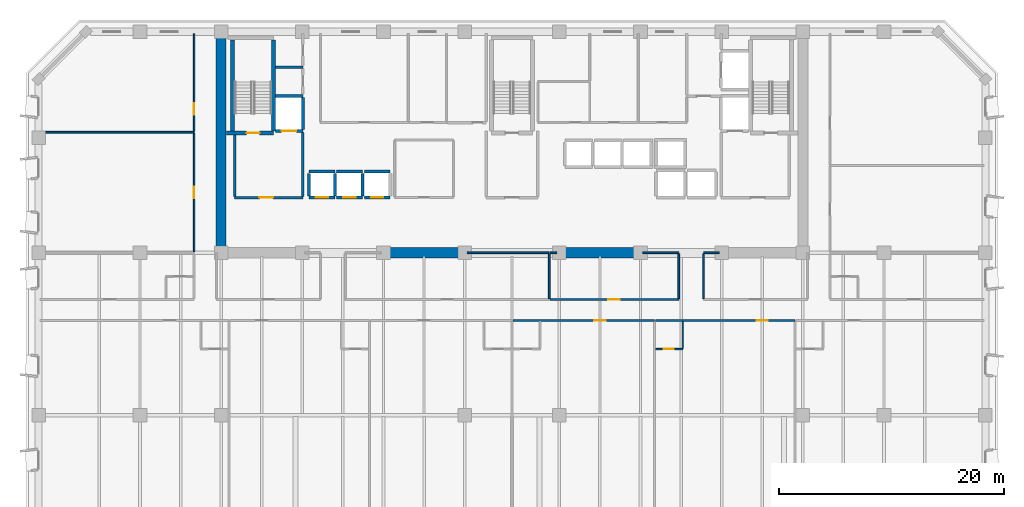
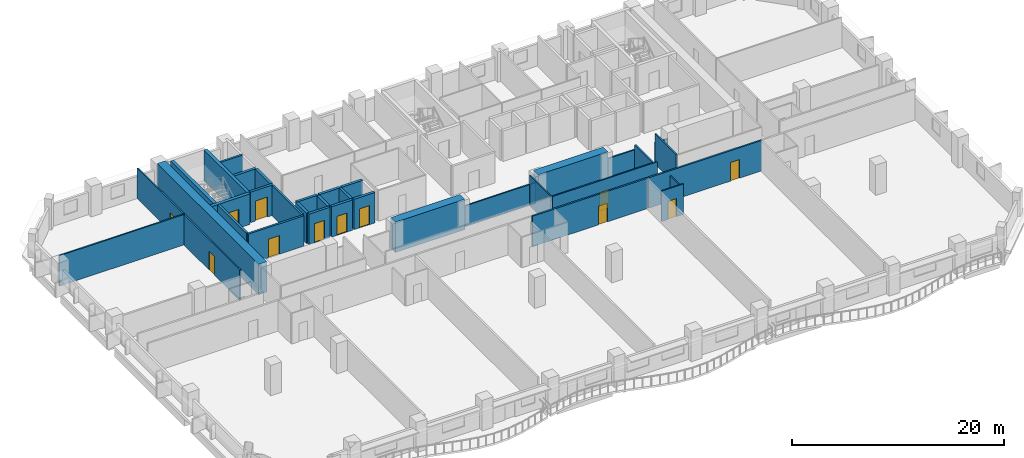
# One storey, part 6 of 15: 37 walls, 12 doors, 12 openings.
"""IFC4 building model written with IfcOpenShell, lengths in metres."""

from ifc_helpers import new_model, si_unit, direction, frame, frame_2d, origin, place, context, subcontext, project, spatial, rectangle, extrude, material, layer, layer_set, type_object, element, fill, save


model = new_model("IFC4")

# Units and contexts
model_context = context("Model", 3, precision=1e-05, world=origin(), true_north=direction((0.0, 1.0)))
body_context = subcontext(model_context, "Body", "Model", "MODEL_VIEW")
ifc_project = project(units=[si_unit("LENGTHUNIT", "METRE"), si_unit("AREAUNIT", "SQUARE_METRE"), si_unit("VOLUMEUNIT", "CUBIC_METRE"), si_unit("PLANEANGLEUNIT", "RADIAN"), si_unit("MASSUNIT", "GRAM", prefix="KILO")], contexts=[model_context])

# Site, building, storey
site_placement = place(None, origin())
site = spatial("IfcSite", under=ifc_project, at=site_placement, CompositionType="ELEMENT")
building_placement = place(site_placement, origin())
building = spatial("IfcBuilding", under=site, at=building_placement, Name="Kaelvorn Grand Hotel", CompositionType="ELEMENT")
storey_placement = place(building_placement, frame((0.0, 0.0, 111.800048828125)))
storey = spatial("IfcBuildingStorey", under=building, at=storey_placement, Name="L26", CompositionType="ELEMENT", Elevation=111.800048828125)

# Walls
ifc_material_1 = material(Name="Concrete C60/75", Category="concrete")
ifc_layer_1 = layer(ifc_material_1, 0.89990234375)
ifc_layer_set_1 = layer_set([ifc_layer_1], Name="Concrete C60/75")
wall_type_1 = type_object("IfcWallType", Name="WL-CORE-900-C60", PredefinedType="SHEAR", material=ifc_layer_set_1)
wall_1_placement = place(storey_placement, frame((16.199951171875, 29.39990234375, 0.0), z_axis=(0.0, 0.0, 1.0), x_axis=(0.0, 1.0, 0.0)))
element("IfcWall", 1, at=wall_1_placement, inside=storey, type_object=wall_type_1, Name="L26 Rear-Core West Shear Wall", PredefinedType="SHEAR", context=body_context, shape_type="SweptSolid", body=[
    extrude(rectangle(XDim=19.2001953125, YDim=0.89990234375, at=frame_2d((9.60009765625, 0.0))), origin(), (0.0, 0.0, 1.0), 3.510009765625),
])
for number, where, z_axis, x_axis, name in (
    (2, (30.39990234375, 29.39990234375, 0.0), (0.0, 0.0, 1.0), (1.0, 0.0, 0.0), "L26 Rear-Core Coupled Shear Pier S2"),
    (3, (46.0, 29.39990234375, 0.0), (0.0, 0.0, 1.0), (1.0, 0.0, 0.0), "L26 Rear-Core Coupled Shear Pier S3"),
):
    element("IfcWall", number, at=place(storey_placement, frame(where, z_axis=z_axis, x_axis=x_axis)), inside=storey, type_object=wall_type_1, Name=name, PredefinedType="SHEAR", context=body_context, shape_type="SweptSolid", body=[
        extrude(rectangle(XDim=7.60009765625, YDim=0.89990234375, at=frame_2d((3.800048828125, 0.0))), origin(), (0.0, 0.0, 1.0), 3.510009765625),
    ])

# Wall, opening, door
ifc_material_2 = material(Name="Moisture-Resistant Tile & Stud Board")
ifc_layer_2 = layer(ifc_material_2, 0.125)
ifc_layer_set_2 = layer_set([ifc_layer_2], Name="Moisture-Resistant Tile & Stud Board")
wall_type_2 = type_object("IfcWallType", Name="WL-PART-125-WET", PredefinedType="PARTITIONING", material=ifc_layer_set_2)
wall_2_placement = place(storey_placement, frame((54.74560546875, 20.85009765625, 0.0), z_axis=(0.0, 0.0, 1.0), x_axis=(1.0, 0.0, 0.0)))
wall_2 = element("IfcWall", 4, at=wall_2_placement, inside=storey, type_object=wall_type_2, Name="L26 En-suite Bathroom L26-05 S Partition", PredefinedType="PARTITIONING", context=body_context, shape_type="SweptSolid", body=[
    extrude(rectangle(XDim=2.40478515625, YDim=0.125, at=frame_2d((1.202392578125, 0.0))), origin(), (0.0, 0.0, 1.0), 3.510009765625),
])
opening_1_placement = place(wall_2_placement, frame((0.705078125, 0.0, 0.0)))
opening_1 = element("IfcOpeningElement", 5, at=opening_1_placement, cuts=wall_2, Name="Opening DI4", PredefinedType="OPENING", context=body_context, shape_type="SweptSolid", body=[
    extrude(rectangle(XDim=0.89990234375, YDim=2.10009765625, at=frame_2d((0.449951171875, 1.050048828125))), frame((0.0, 0.072509765625, 0.0), z_axis=(0.0, -1.0, 0.0), x_axis=(1.0, 0.0, 0.0)), (0.0, 0.0, 1.0), 0.14501953125),
])
ifc_material_3 = material(Name="Timber Veneer Leaf", Category="wood")
door_type_1 = type_object("IfcDoorType", Name="DR-INT-BATH-900x2100", OperationType="NOTDEFINED", PredefinedType="DOOR", material=ifc_material_3)
door_1_placement = place(opening_1_placement, origin())
door_1 = element("IfcDoor", 6, at=door_1_placement, inside=storey, type_object=door_type_1, Name="L26 En-suite Bathroom L26-05 Door", OperationType="SINGLE_SWING_LEFT", OverallHeight=2.10009765625, OverallWidth=0.89990234375, PredefinedType="DOOR", context=body_context, shape_type="SweptSolid", body=[
    extrude(rectangle(XDim=0.89990234375, YDim=2.10009765625, at=frame_2d((0.449951171875, 1.050048828125))), frame((0.0, 0.02490234375, 0.0), z_axis=(0.0, -1.0, 0.0), x_axis=(1.0, 0.0, 0.0)), (0.0, 0.0, 1.0), 0.050048828125),
])
fill(opening_1, door_1)

# Walls
wall_3_placement = place(storey_placement, frame((57.150390625, 20.91748046875, 0.0), z_axis=(0.0, 0.0, 1.0), x_axis=(0.0, 1.0, 0.0)))
element("IfcWall", 7, at=wall_3_placement, inside=storey, type_object=wall_type_2, Name="L26 En-suite Bathroom L26-05 E Partition", PredefinedType="PARTITIONING", context=body_context, shape_type="SweptSolid", body=[
    extrude(rectangle(XDim=2.387451171875, YDim=0.125, at=frame_2d((1.19384765625, 0.0))), origin(), (0.0, 0.0, 1.0), 2.976806640625),
])
ifc_material_4 = material(Name="Acoustic Gypsum & Stud Partition")
ifc_layer_3 = layer(ifc_material_4, 0.14990234375)
ifc_layer_set_3 = layer_set([ifc_layer_3], Name="Acoustic Gypsum & Stud Partition")
wall_type_3 = type_object("IfcWallType", Name="WL-PART-150-EI60", PredefinedType="PARTITIONING", material=ifc_layer_set_3)
wall_4_placement = place(storey_placement, frame((38.010009765625, 29.39990234375, 0.0), z_axis=(0.0, 0.0, 1.0), x_axis=(1.0, 0.0, 0.0)))
element("IfcWall", 8, at=wall_4_placement, inside=storey, type_object=wall_type_3, Name="L26 Catering Servery Kitchen N Partition (2)", PredefinedType="PARTITIONING", context=body_context, shape_type="SweptSolid", body=[
    extrude(rectangle(XDim=7.2900390625, YDim=0.14990234375, at=frame_2d((3.64501953125, 0.0))), origin(), (0.0, 0.0, 1.0), 2.409912109375),
])
wall_5_placement = place(storey_placement, frame((45.300048828125, 25.330078125, 0.0), z_axis=(0.0, 0.0, 1.0), x_axis=(0.0, 1.0, 0.0)))
element("IfcWall", 9, at=wall_5_placement, inside=storey, type_object=wall_type_3, Name="L26 Catering Servery Kitchen E Partition", PredefinedType="PARTITIONING", context=body_context, shape_type="SweptSolid", body=[
    extrude(rectangle(XDim=3.989990234375, YDim=0.14990234375, at=frame_2d((1.9951171875, 0.0))), origin(), (0.0, 0.0, 1.0), 3.510009765625),
])

# Wall, opening, door
wall_6_placement = place(storey_placement, frame((45.3798828125, 25.25, 0.0), z_axis=(0.0, 0.0, 1.0), x_axis=(1.0, 0.0, 0.0)))
wall_6 = element("IfcWall", 10, at=wall_6_placement, inside=storey, type_object=wall_type_3, Name="L26 Presidential Living Room S Partition", PredefinedType="PARTITIONING", context=body_context, shape_type="SweptSolid", body=[
    extrude(rectangle(XDim=11.420166015625, YDim=0.14990234375, at=frame_2d((5.7099609375, 0.0))), origin(), (0.0, 0.0, 1.0), 3.510009765625),
])
opening_2_placement = place(wall_6_placement, frame((5.169921875, 0.0, 0.0)))
opening_2 = element("IfcOpeningElement", 11, at=opening_2_placement, cuts=wall_6, Name="Opening DI3", PredefinedType="OPENING", context=body_context, shape_type="SweptSolid", body=[
    extrude(rectangle(XDim=1.0, YDim=2.14990234375, at=frame_2d((0.5, 1.074951171875))), frame((0.0, 0.0849609375, 0.0), z_axis=(0.0, -1.0, 0.0), x_axis=(1.0, 0.0, 0.0)), (0.0, 0.0, 1.0), 0.169921875),
])
ifc_material_5 = material(Name="Timber Veneer Fire Leaf", Category="wood")
door_type_2 = type_object("IfcDoorType", Name="DR-INT-GUEST-1000x2150", OperationType="NOTDEFINED", PredefinedType="DOOR", material=ifc_material_5)
door_2_placement = place(opening_2_placement, origin())
door_2 = element("IfcDoor", 12, at=door_2_placement, inside=storey, type_object=door_type_2, Name="L26 Presidential Living Room Door", OperationType="SINGLE_SWING_RIGHT", OverallHeight=2.14990234375, OverallWidth=1.0, PredefinedType="DOOR", context=body_context, shape_type="SweptSolid", body=[
    extrude(rectangle(XDim=1.0, YDim=2.14990234375, at=frame_2d((0.5, 1.074951171875))), frame((0.0, 0.02490234375, 0.0), z_axis=(0.0, -1.0, 0.0), x_axis=(1.0, 0.0, 0.0)), (0.0, 0.0, 1.0), 0.050048828125),
])
fill(opening_2, door_2)

# Walls
wall_7_placement = place(storey_placement, frame((45.3798828125, 29.39990234375, 0.0), z_axis=(0.0, 0.0, 1.0), x_axis=(1.0, 0.0, 0.0)))
element("IfcWall", 13, at=wall_7_placement, inside=storey, type_object=wall_type_3, Name="L26 Presidential Living Room N Partition (1)", PredefinedType="PARTITIONING", context=body_context, shape_type="SweptSolid", body=[
    extrude(rectangle(XDim=0.610107421875, YDim=0.14990234375, at=frame_2d((0.30517578125, 0.0))), origin(), (0.0, 0.0, 1.0), 2.409912109375),
])
wall_8_placement = place(storey_placement, frame((53.610107421875, 29.39990234375, 0.0), z_axis=(0.0, 0.0, 1.0), x_axis=(1.0, 0.0, 0.0)))
element("IfcWall", 14, at=wall_8_placement, inside=storey, type_object=wall_type_3, Name="L26 Presidential Living Room N Partition (2)", PredefinedType="PARTITIONING", context=body_context, shape_type="SweptSolid", body=[
    extrude(rectangle(XDim=3.18994140625, YDim=0.14990234375, at=frame_2d((1.594970703125, 0.0))), origin(), (0.0, 0.0, 1.0), 2.409912109375),
])
wall_9_placement = place(storey_placement, frame((56.800048828125, 25.330078125, 0.0), z_axis=(0.0, 0.0, 1.0), x_axis=(0.0, 1.0, 0.0)))
element("IfcWall", 15, at=wall_9_placement, inside=storey, type_object=wall_type_3, Name="L26 Presidential Living Room E Partition", PredefinedType="PARTITIONING", context=body_context, shape_type="SweptSolid", body=[
    extrude(rectangle(XDim=3.989990234375, YDim=0.14990234375, at=frame_2d((1.9951171875, 0.0))), origin(), (0.0, 0.0, 1.0), 2.976806640625),
])
wall_10_placement = place(storey_placement, frame((59.0, 29.39990234375, 0.0), z_axis=(0.0, 0.0, 1.0), x_axis=(1.0, 0.0, 0.0)))
element("IfcWall", 16, at=wall_10_placement, inside=storey, type_object=wall_type_3, Name="L26 Trade Advisory Office N Partition", PredefinedType="PARTITIONING", context=body_context, shape_type="SweptSolid", body=[
    extrude(rectangle(XDim=1.389892578125, YDim=0.14990234375, at=frame_2d((0.69482421875, 0.0))), origin(), (0.0, 0.0, 1.0), 2.409912109375),
])
wall_11_placement = place(storey_placement, frame((59.0, 25.330078125, 0.0), z_axis=(0.0, 0.0, 1.0), x_axis=(0.0, 1.0, 0.0)))
element("IfcWall", 17, at=wall_11_placement, inside=storey, type_object=wall_type_3, Name="L26 Trade Advisory Office W Partition", PredefinedType="PARTITIONING", context=body_context, shape_type="SweptSolid", body=[
    extrude(rectangle(XDim=3.989990234375, YDim=0.14990234375, at=frame_2d((1.9951171875, 0.0))), origin(), (0.0, 0.0, 1.0), 3.510009765625),
])
wall_12_placement = place(storey_placement, frame((0.14990234375, 40.10009765625, 0.0), z_axis=(0.0, 0.0, 1.0), x_axis=(1.0, 0.0, 0.0)))
element("IfcWall", 18, at=wall_12_placement, inside=storey, type_object=wall_type_3, Name="L26 North-West Botanical Conservatory Salon N Partition", PredefinedType="PARTITIONING", context=body_context, shape_type="SweptSolid", body=[
    extrude(rectangle(XDim=13.650146484375, YDim=0.14990234375, at=frame_2d((6.8251953125, 0.0))), origin(), (0.0, 0.0, 1.0), 3.510009765625),
])

# Wall, opening, door
wall_13_placement = place(storey_placement, frame((13.800048828125, 29.4951171875, 0.0), z_axis=(0.0, 0.0, 1.0), x_axis=(0.0, 1.0, 0.0)))
wall_13 = element("IfcWall", 19, at=wall_13_placement, inside=storey, type_object=wall_type_3, Name="L26 North-West Botanical Conservatory Salon E Partition", PredefinedType="PARTITIONING", context=body_context, shape_type="SweptSolid", body=[
    extrude(rectangle(XDim=10.52490234375, YDim=0.14990234375, at=frame_2d((5.262451171875, 0.0))), origin(), (0.0, 0.0, 1.0), 3.510009765625),
])
opening_3_placement = place(wall_13_placement, frame((4.7548828125, 0.0, 0.0)))
opening_3 = element("IfcOpeningElement", 20, at=opening_3_placement, cuts=wall_13, Name="Opening DI3", PredefinedType="OPENING", context=body_context, shape_type="SweptSolid", body=[
    extrude(rectangle(XDim=1.0, YDim=2.14990234375, at=frame_2d((0.5, 1.074951171875))), frame((0.0, 0.0849609375, 0.0), z_axis=(0.0, -1.0, 0.0), x_axis=(1.0, 0.0, 0.0)), (0.0, 0.0, 1.0), 0.169921875),
])
door_3_placement = place(opening_3_placement, origin())
door_3 = element("IfcDoor", 21, at=door_3_placement, inside=storey, type_object=door_type_2, Name="L26 North-West Botanical Conservatory Salon Door", OperationType="SINGLE_SWING_RIGHT", OverallHeight=2.14990234375, OverallWidth=1.0, PredefinedType="DOOR", context=body_context, shape_type="SweptSolid", body=[
    extrude(rectangle(XDim=1.0, YDim=2.14990234375, at=frame_2d((0.5, 1.074951171875))), frame((0.0, 0.02490234375, 0.0), z_axis=(0.0, -1.0, 0.0), x_axis=(1.0, 0.0, 0.0)), (0.0, 0.0, 1.0), 0.050048828125),
])
fill(opening_3, door_3)

wall_14_placement = place(storey_placement, frame((13.800048828125, 40.179931640625, 0.0), z_axis=(0.0, 0.0, 1.0), x_axis=(0.0, 1.0, 0.0)))
wall_14 = element("IfcWall", 22, at=wall_14_placement, inside=storey, type_object=wall_type_3, Name="L26 North-West Catering Servery Kitchen E Partition", PredefinedType="PARTITIONING", context=body_context, shape_type="SweptSolid", body=[
    extrude(rectangle(XDim=8.670166015625, YDim=0.14990234375, at=frame_2d((4.3349609375, 0.0))), origin(), (0.0, 0.0, 1.0), 3.510009765625),
])
opening_4_placement = place(wall_14_placement, frame((1.469970703125, 0.0, 0.0)))
opening_4 = element("IfcOpeningElement", 23, at=opening_4_placement, cuts=wall_14, Name="Opening DI3", PredefinedType="OPENING", context=body_context, shape_type="SweptSolid", body=[
    extrude(rectangle(XDim=1.0, YDim=2.14990234375, at=frame_2d((0.5, 1.074951171875))), frame((0.0, 0.0849609375, 0.0), z_axis=(0.0, -1.0, 0.0), x_axis=(1.0, 0.0, 0.0)), (0.0, 0.0, 1.0), 0.169921875),
])
door_4_placement = place(opening_4_placement, origin())
door_4 = element("IfcDoor", 24, at=door_4_placement, inside=storey, type_object=door_type_2, Name="L26 North-West Catering Servery Kitchen Door", OperationType="SINGLE_SWING_LEFT", OverallHeight=2.14990234375, OverallWidth=1.0, PredefinedType="DOOR", context=body_context, shape_type="SweptSolid", body=[
    extrude(rectangle(XDim=1.0, YDim=2.14990234375, at=frame_2d((0.5, 1.074951171875))), frame((0.0, 0.02490234375, 0.0), z_axis=(0.0, -1.0, 0.0), x_axis=(1.0, 0.0, 0.0)), (0.0, 0.0, 1.0), 0.050048828125),
])
fill(opening_4, door_4)

ifc_layer_4 = layer(ifc_material_4, 0.179931640625)
ifc_layer_set_4 = layer_set([ifc_layer_4], Name="Acoustic Gypsum & Stud Partition")
wall_type_4 = type_object("IfcWallType", Name="WL-PART-180-EI60", PredefinedType="PARTITIONING", material=ifc_layer_set_4)
wall_15_placement = place(storey_placement, frame((42.094970703125, 23.39990234375, 0.0), z_axis=(0.0, 0.0, 1.0), x_axis=(1.0, 0.0, 0.0)))
wall_15 = element("IfcWall", 25, at=wall_15_placement, inside=storey, type_object=wall_type_4, Name="L26 Presidential Sky Suite L26-04 N Partition", PredefinedType="PARTITIONING", context=body_context, shape_type="SweptSolid", body=[
    extrude(rectangle(XDim=12.555419921875, YDim=0.179931640625, at=frame_2d((6.27783203125, 0.0))), origin(), (0.0, 0.0, 1.0), 3.510009765625),
])
opening_5_placement = place(wall_15_placement, frame((7.205078125, 0.0, 0.0)))
opening_5 = element("IfcOpeningElement", 26, at=opening_5_placement, cuts=wall_15, Name="Opening DI3", PredefinedType="OPENING", context=body_context, shape_type="SweptSolid", body=[
    extrude(rectangle(XDim=1.0, YDim=2.14990234375, at=frame_2d((0.5, 1.074951171875))), frame((0.0, 0.10009765625, 0.0), z_axis=(0.0, -1.0, 0.0), x_axis=(1.0, 0.0, 0.0)), (0.0, 0.0, 1.0), 0.199951171875),
])
door_5_placement = place(opening_5_placement, origin())
door_5 = element("IfcDoor", 27, at=door_5_placement, inside=storey, type_object=door_type_2, Name="L26 Presidential Sky Suite L26-04 Door", OperationType="SINGLE_SWING_RIGHT", OverallHeight=2.14990234375, OverallWidth=1.0, PredefinedType="DOOR", context=body_context, shape_type="SweptSolid", body=[
    extrude(rectangle(XDim=1.0, YDim=2.14990234375, at=frame_2d((0.5, 1.074951171875))), frame((0.0, 0.02490234375, 0.0), z_axis=(0.0, -1.0, 0.0), x_axis=(1.0, 0.0, 0.0)), (0.0, 0.0, 1.0), 0.050048828125),
])
fill(opening_5, door_5)

wall_16_placement = place(storey_placement, frame((54.74560546875, 23.39990234375, 0.0), z_axis=(0.0, 0.0, 1.0), x_axis=(1.0, 0.0, 0.0)))
wall_16 = element("IfcWall", 28, at=wall_16_placement, inside=storey, type_object=wall_type_4, Name="L26 Presidential Sky Suite L26-05 N Partition", PredefinedType="PARTITIONING", context=body_context, shape_type="SweptSolid", body=[
    extrude(rectangle(XDim=12.354736328125, YDim=0.179931640625, at=frame_2d((6.17724609375, 0.0))), origin(), (0.0, 0.0, 1.0), 3.510009765625),
])
opening_6_placement = place(wall_16_placement, frame((8.95458984375, 0.0, 0.0)))
opening_6 = element("IfcOpeningElement", 29, at=opening_6_placement, cuts=wall_16, Name="Opening DI3", PredefinedType="OPENING", context=body_context, shape_type="SweptSolid", body=[
    extrude(rectangle(XDim=1.0, YDim=2.14990234375, at=frame_2d((0.5, 1.074951171875))), frame((0.0, 0.10009765625, 0.0), z_axis=(0.0, -1.0, 0.0), x_axis=(1.0, 0.0, 0.0)), (0.0, 0.0, 1.0), 0.199951171875),
])
door_6_placement = place(opening_6_placement, origin())
door_6 = element("IfcDoor", 30, at=door_6_placement, inside=storey, type_object=door_type_2, Name="L26 Presidential Sky Suite L26-05 Door", OperationType="SINGLE_SWING_RIGHT", OverallHeight=2.14990234375, OverallWidth=1.0, PredefinedType="DOOR", context=body_context, shape_type="SweptSolid", body=[
    extrude(rectangle(XDim=1.0, YDim=2.14990234375, at=frame_2d((0.5, 1.074951171875))), frame((0.0, 0.02490234375, 0.0), z_axis=(0.0, -1.0, 0.0), x_axis=(1.0, 0.0, 0.0)), (0.0, 0.0, 1.0), 0.050048828125),
])
fill(opening_6, door_6)

ifc_material_6 = material(Name="Concrete C40/50", Category="concrete")
ifc_layer_5 = layer(ifc_material_6, 0.219970703125)
ifc_layer_set_5 = layer_set([ifc_layer_5], Name="Concrete C40/50")
wall_type_5 = type_object("IfcWallType", Name="WL-PART-220-EI120", PredefinedType="PARTITIONING", material=ifc_layer_set_5)
wall_17_placement = place(storey_placement, frame((17.39990234375, 34.300048828125, 0.0), z_axis=(0.0, 0.0, 1.0), x_axis=(1.0, 0.0, 0.0)))
wall_17 = element("IfcWall", 31, at=wall_17_placement, inside=storey, type_object=wall_type_5, Name="L26 Firefighting Lift Lobby 1 S Partition", PredefinedType="PARTITIONING", context=body_context, shape_type="SweptSolid", body=[
    extrude(rectangle(XDim=6.050048828125, YDim=0.219970703125, at=frame_2d((3.02490234375, 0.0))), origin(), (0.0, 0.0, 1.0), 3.510009765625),
])
opening_7_placement = place(wall_17_placement, frame((2.199951171875, 0.0, 0.0)))
opening_7 = element("IfcOpeningElement", 32, at=opening_7_placement, cuts=wall_17, Name="Opening DI2", PredefinedType="OPENING", context=body_context, shape_type="SweptSolid", body=[
    extrude(rectangle(XDim=1.199951171875, YDim=2.14990234375, at=frame_2d((0.60009765625, 1.074951171875))), frame((0.0, 0.1201171875, 0.0), z_axis=(0.0, -1.0, 0.0), x_axis=(1.0, 0.0, 0.0)), (0.0, 0.0, 1.0), 0.239990234375),
])
door_type_3 = type_object("IfcDoorType", Name="DR-INT-FFLOB-1200x2150", OperationType="NOTDEFINED", PredefinedType="DOOR", material=ifc_material_5)
door_7_placement = place(opening_7_placement, origin())
door_7 = element("IfcDoor", 33, at=door_7_placement, inside=storey, type_object=door_type_3, Name="L26 Firefighting Lift Lobby 1 Door", OperationType="SINGLE_SWING_LEFT", OverallHeight=2.14990234375, OverallWidth=1.199951171875, PredefinedType="DOOR", context=body_context, shape_type="SweptSolid", body=[
    extrude(rectangle(XDim=1.199951171875, YDim=2.14990234375, at=frame_2d((0.60009765625, 1.074951171875))), frame((0.0, 0.02490234375, 0.0), z_axis=(0.0, -1.0, 0.0), x_axis=(1.0, 0.0, 0.0)), (0.0, 0.0, 1.0), 0.050048828125),
])
fill(opening_7, door_7)

# Walls
wall_18_placement = place(storey_placement, frame((17.39990234375, 34.4150390625, 0.0), z_axis=(0.0, 0.0, 1.0), x_axis=(0.0, 1.0, 0.0)))
element("IfcWall", 34, at=wall_18_placement, inside=storey, type_object=wall_type_5, Name="L26 Firefighting Lift Lobby 1 W Partition", PredefinedType="PARTITIONING", context=body_context, shape_type="SweptSolid", body=[
    extrude(rectangle(XDim=5.429931640625, YDim=0.219970703125, at=frame_2d((2.71484375, 0.0))), origin(), (0.0, 0.0, 1.0), 3.510009765625),
])
wall_19_placement = place(storey_placement, frame((23.449951171875, 34.4150390625, 0.0), z_axis=(0.0, 0.0, 1.0), x_axis=(0.0, 1.0, 0.0)))
element("IfcWall", 35, at=wall_19_placement, inside=storey, type_object=wall_type_5, Name="L26 Firefighting Lift Lobby 1 E Partition", PredefinedType="PARTITIONING", context=body_context, shape_type="SweptSolid", body=[
    extrude(rectangle(XDim=5.639892578125, YDim=0.219970703125, at=frame_2d((2.81982421875, 0.0))), origin(), (0.0, 0.0, 1.0), 3.510009765625),
])
wall_20_placement = place(storey_placement, frame((21.034912109375, 45.85009765625, 0.0), z_axis=(0.0, 0.0, 1.0), x_axis=(1.0, 0.0, 0.0)))
element("IfcWall", 36, at=wall_20_placement, inside=storey, type_object=wall_type_5, Name="L26 Wet Fire & Plumbing Riser Shaft N Partition", PredefinedType="PARTITIONING", context=body_context, shape_type="SweptSolid", body=[
    extrude(rectangle(XDim=2.4150390625, YDim=0.219970703125, at=frame_2d((1.20751953125, 0.0))), origin(), (0.0, 0.0, 1.0), 3.510009765625),
])

# Wall, opening, door
ifc_material_7 = material(Name="Concrete C50/60", Category="concrete")
ifc_layer_6 = layer(ifc_material_7, 0.280029296875)
ifc_layer_set_6 = layer_set([ifc_layer_6], Name="Concrete C50/60")
wall_type_6 = type_object("IfcWallType", Name="WL-SHAFT-280-C50", PredefinedType="SHEAR", material=ifc_layer_set_6)
wall_21_placement = place(storey_placement, frame((24.0, 34.300048828125, 0.0), z_axis=(0.0, 0.0, 1.0), x_axis=(1.0, 0.0, 0.0)))
wall_21 = element("IfcWall", 37, at=wall_21_placement, inside=storey, type_object=wall_type_6, Name="L26 Lift PL-L1 Shaft South Wall", PredefinedType="SHEAR", context=body_context, shape_type="SweptSolid", body=[
    extrude(rectangle(XDim=2.300048828125, YDim=0.280029296875, at=frame_2d((1.14990234375, 0.0))), origin(), (0.0, 0.0, 1.0), 3.510009765625),
])
opening_8_placement = place(wall_21_placement, frame((0.60009765625, 0.0, 0.0)))
opening_8 = element("IfcOpeningElement", 38, at=opening_8_placement, cuts=wall_21, Name="Opening LD-PL-L1", PredefinedType="OPENING", context=body_context, shape_type="SweptSolid", body=[
    extrude(rectangle(XDim=1.10009765625, YDim=2.199951171875, at=frame_2d((0.550048828125, 1.10009765625))), frame((0.0, 0.14990234375, 0.0), z_axis=(0.0, -1.0, 0.0), x_axis=(1.0, 0.0, 0.0)), (0.0, 0.0, 1.0), 0.300048828125),
])
ifc_material_8 = material(Name="Stainless Steel", Category="steel")
door_type_4 = type_object("IfcDoorType", Name="DR-LIFT-PASS-1100x2200", OperationType="DOUBLE_DOOR_SLIDING", PredefinedType="DOOR", material=ifc_material_8)
door_8_placement = place(opening_8_placement, origin())
door_8 = element("IfcDoor", 39, at=door_8_placement, inside=storey, type_object=door_type_4, Name="L26 Lift PL-L1 Sliding Landing Door LD-PL-L1", OperationType="DOUBLE_DOOR_SLIDING", OverallHeight=2.199951171875, OverallWidth=1.10009765625, PredefinedType="DOOR", context=body_context, shape_type="SweptSolid", body=[
    extrude(rectangle(XDim=1.10009765625, YDim=2.199951171875, at=frame_2d((0.550048828125, 1.10009765625))), frame((0.0, 0.02490234375, 0.0), z_axis=(0.0, -1.0, 0.0), x_axis=(1.0, 0.0, 0.0)), (0.0, 0.0, 1.0), 0.050048828125),
])
fill(opening_8, door_8)

# Walls
wall_22_placement = place(storey_placement, frame((24.0, 36.60009765625, 0.0), z_axis=(0.0, 0.0, 1.0), x_axis=(1.0, 0.0, 0.0)))
element("IfcWall", 40, at=wall_22_placement, inside=storey, type_object=wall_type_6, Name="L26 Lift PL-L1 Shaft North Wall", PredefinedType="SHEAR", context=body_context, shape_type="SweptSolid", body=[
    extrude(rectangle(XDim=2.300048828125, YDim=0.280029296875, at=frame_2d((1.14990234375, 0.0))), origin(), (0.0, 0.0, 1.0), 3.510009765625),
])
for number, where, z_axis, x_axis, name in (
    (41, (24.0, 34.445068359375, 0.0), (0.0, 0.0, 1.0), (0.0, 1.0, 0.0), "L26 Lift PL-L1 Shaft West Wall"),
    (42, (26.300048828125, 34.445068359375, 0.0), (0.0, 0.0, 1.0), (0.0, 1.0, 0.0), "L26 Lift PL-L1 Shaft East Wall"),
):
    element("IfcWall", number, at=place(storey_placement, frame(where, z_axis=z_axis, x_axis=x_axis)), inside=storey, type_object=wall_type_6, Name=name, PredefinedType="SHEAR", context=body_context, shape_type="SweptSolid", body=[
        extrude(rectangle(XDim=2.010009765625, YDim=0.280029296875, at=frame_2d((1.0048828125, 0.0))), origin(), (0.0, 0.0, 1.0), 3.510009765625),
    ])

# Wall, opening, door
wall_23_placement = place(storey_placement, frame((26.449951171875, 34.300048828125, 0.0), z_axis=(0.0, 0.0, 1.0), x_axis=(1.0, 0.0, 0.0)))
wall_23 = element("IfcWall", 43, at=wall_23_placement, inside=storey, type_object=wall_type_6, Name="L26 Lift PL-L2 Shaft South Wall", PredefinedType="SHEAR", context=body_context, shape_type="SweptSolid", body=[
    extrude(rectangle(XDim=2.300048828125, YDim=0.280029296875, at=frame_2d((1.14990234375, 0.0))), origin(), (0.0, 0.0, 1.0), 3.510009765625),
])
opening_9_placement = place(wall_23_placement, frame((0.60009765625, 0.0, 0.0)))
opening_9 = element("IfcOpeningElement", 44, at=opening_9_placement, cuts=wall_23, Name="Opening LD-PL-L2", PredefinedType="OPENING", context=body_context, shape_type="SweptSolid", body=[
    extrude(rectangle(XDim=1.10009765625, YDim=2.199951171875, at=frame_2d((0.550048828125, 1.10009765625))), frame((0.0, 0.14990234375, 0.0), z_axis=(0.0, -1.0, 0.0), x_axis=(1.0, 0.0, 0.0)), (0.0, 0.0, 1.0), 0.300048828125),
])
door_9_placement = place(opening_9_placement, origin())
door_9 = element("IfcDoor", 45, at=door_9_placement, inside=storey, type_object=door_type_4, Name="L26 Lift PL-L2 Sliding Landing Door LD-PL-L2", OperationType="DOUBLE_DOOR_SLIDING", OverallHeight=2.199951171875, OverallWidth=1.10009765625, PredefinedType="DOOR", context=body_context, shape_type="SweptSolid", body=[
    extrude(rectangle(XDim=1.10009765625, YDim=2.199951171875, at=frame_2d((0.550048828125, 1.10009765625))), frame((0.0, 0.02490234375, 0.0), z_axis=(0.0, -1.0, 0.0), x_axis=(1.0, 0.0, 0.0)), (0.0, 0.0, 1.0), 0.050048828125),
])
fill(opening_9, door_9)

# Walls
wall_24_placement = place(storey_placement, frame((26.449951171875, 36.60009765625, 0.0), z_axis=(0.0, 0.0, 1.0), x_axis=(1.0, 0.0, 0.0)))
element("IfcWall", 46, at=wall_24_placement, inside=storey, type_object=wall_type_6, Name="L26 Lift PL-L2 Shaft North Wall", PredefinedType="SHEAR", context=body_context, shape_type="SweptSolid", body=[
    extrude(rectangle(XDim=2.300048828125, YDim=0.280029296875, at=frame_2d((1.14990234375, 0.0))), origin(), (0.0, 0.0, 1.0), 3.510009765625),
])
wall_25_placement = place(storey_placement, frame((28.75, 34.445068359375, 0.0), z_axis=(0.0, 0.0, 1.0), x_axis=(0.0, 1.0, 0.0)))
element("IfcWall", 47, at=wall_25_placement, inside=storey, type_object=wall_type_6, Name="L26 Lift PL-L2 Shaft East Wall", PredefinedType="SHEAR", context=body_context, shape_type="SweptSolid", body=[
    extrude(rectangle(XDim=2.010009765625, YDim=0.280029296875, at=frame_2d((1.0048828125, 0.0))), origin(), (0.0, 0.0, 1.0), 3.510009765625),
])

# Wall, opening, door
wall_26_placement = place(storey_placement, frame((28.89990234375, 34.300048828125, 0.0), z_axis=(0.0, 0.0, 1.0), x_axis=(1.0, 0.0, 0.0)))
wall_26 = element("IfcWall", 48, at=wall_26_placement, inside=storey, type_object=wall_type_6, Name="L26 Lift PL-L3 Shaft South Wall", PredefinedType="SHEAR", context=body_context, shape_type="SweptSolid", body=[
    extrude(rectangle(XDim=2.300048828125, YDim=0.280029296875, at=frame_2d((1.14990234375, 0.0))), origin(), (0.0, 0.0, 1.0), 3.510009765625),
])
opening_10_placement = place(wall_26_placement, frame((0.60009765625, 0.0, 0.0)))
opening_10 = element("IfcOpeningElement", 49, at=opening_10_placement, cuts=wall_26, Name="Opening LD-PL-L3", PredefinedType="OPENING", context=body_context, shape_type="SweptSolid", body=[
    extrude(rectangle(XDim=1.10009765625, YDim=2.199951171875, at=frame_2d((0.550048828125, 1.10009765625))), frame((0.0, 0.14990234375, 0.0), z_axis=(0.0, -1.0, 0.0), x_axis=(1.0, 0.0, 0.0)), (0.0, 0.0, 1.0), 0.300048828125),
])
door_10_placement = place(opening_10_placement, origin())
door_10 = element("IfcDoor", 50, at=door_10_placement, inside=storey, type_object=door_type_4, Name="L26 Lift PL-L3 Sliding Landing Door LD-PL-L3", OperationType="DOUBLE_DOOR_SLIDING", OverallHeight=2.199951171875, OverallWidth=1.10009765625, PredefinedType="DOOR", context=body_context, shape_type="SweptSolid", body=[
    extrude(rectangle(XDim=1.10009765625, YDim=2.199951171875, at=frame_2d((0.550048828125, 1.10009765625))), frame((0.0, 0.02490234375, 0.0), z_axis=(0.0, -1.0, 0.0), x_axis=(1.0, 0.0, 0.0)), (0.0, 0.0, 1.0), 0.050048828125),
])
fill(opening_10, door_10)

# Wall
wall_27_placement = place(storey_placement, frame((28.89990234375, 36.60009765625, 0.0), z_axis=(0.0, 0.0, 1.0), x_axis=(1.0, 0.0, 0.0)))
element("IfcWall", 51, at=wall_27_placement, inside=storey, type_object=wall_type_6, Name="L26 Lift PL-L3 Shaft North Wall", PredefinedType="SHEAR", context=body_context, shape_type="SweptSolid", body=[
    extrude(rectangle(XDim=2.300048828125, YDim=0.280029296875, at=frame_2d((1.14990234375, 0.0))), origin(), (0.0, 0.0, 1.0), 3.510009765625),
])

# Wall, opening, door
wall_28_placement = place(storey_placement, frame((21.034912109375, 40.199951171875, 0.0), z_axis=(0.0, 0.0, 1.0), x_axis=(1.0, 0.0, 0.0)))
wall_28 = element("IfcWall", 52, at=wall_28_placement, inside=storey, type_object=wall_type_6, Name="L26 Lift FFL1 Shaft South Wall", PredefinedType="SHEAR", context=body_context, shape_type="SweptSolid", body=[
    extrude(rectangle(XDim=2.4150390625, YDim=0.280029296875, at=frame_2d((1.20751953125, 0.0))), origin(), (0.0, 0.0, 1.0), 3.510009765625),
])
opening_11_placement = place(wall_28_placement, frame((0.5400390625, 0.0, 0.0)))
opening_11 = element("IfcOpeningElement", 53, at=opening_11_placement, cuts=wall_28, Name="Opening LD-FFL1", PredefinedType="OPENING", context=body_context, shape_type="SweptSolid", body=[
    extrude(rectangle(XDim=1.300048828125, YDim=2.300048828125, at=frame_2d((0.64990234375, 1.14990234375))), frame((0.0, 0.14990234375, 0.0), z_axis=(0.0, -1.0, 0.0), x_axis=(1.0, 0.0, 0.0)), (0.0, 0.0, 1.0), 0.300048828125),
])
door_type_5 = type_object("IfcDoorType", Name="DR-LIFT-SERV-1300x2300", OperationType="DOUBLE_DOOR_SLIDING", PredefinedType="DOOR", material=ifc_material_8)
door_11_placement = place(opening_11_placement, origin())
door_11 = element("IfcDoor", 54, at=door_11_placement, inside=storey, type_object=door_type_5, Name="L26 Lift FFL1 Sliding Landing Door LD-FFL1", OperationType="DOUBLE_DOOR_SLIDING", OverallHeight=2.300048828125, OverallWidth=1.300048828125, PredefinedType="DOOR", context=body_context, shape_type="SweptSolid", body=[
    extrude(rectangle(XDim=1.300048828125, YDim=2.300048828125, at=frame_2d((0.64990234375, 1.14990234375))), frame((0.0, 0.02490234375, 0.0), z_axis=(0.0, -1.0, 0.0), x_axis=(1.0, 0.0, 0.0)), (0.0, 0.0, 1.0), 0.050048828125),
])
fill(opening_11, door_11)

# Walls
wall_29_placement = place(storey_placement, frame((21.034912109375, 43.300048828125, 0.0), z_axis=(0.0, 0.0, 1.0), x_axis=(1.0, 0.0, 0.0)))
element("IfcWall", 55, at=wall_29_placement, inside=storey, type_object=wall_type_6, Name="L26 Lift FFL1 Shaft North Wall", PredefinedType="SHEAR", context=body_context, shape_type="SweptSolid", body=[
    extrude(rectangle(XDim=2.4150390625, YDim=0.280029296875, at=frame_2d((1.20751953125, 0.0))), origin(), (0.0, 0.0, 1.0), 3.510009765625),
])
wall_30_placement = place(storey_placement, frame((23.449951171875, 40.344970703125, 0.0), z_axis=(0.0, 0.0, 1.0), x_axis=(0.0, 1.0, 0.0)))
element("IfcWall", 56, at=wall_30_placement, inside=storey, type_object=wall_type_6, Name="L26 Lift FFL1 Shaft East Wall", PredefinedType="SHEAR", context=body_context, shape_type="SweptSolid", body=[
    extrude(rectangle(XDim=2.81005859375, YDim=0.280029296875, at=frame_2d((1.405029296875, 0.0))), origin(), (0.0, 0.0, 1.0), 3.510009765625),
])

# Wall, opening, door
ifc_layer_7 = layer(ifc_material_1, 0.35009765625)
ifc_layer_set_7 = layer_set([ifc_layer_7], Name="Concrete C60/75")
wall_type_7 = type_object("IfcWallType", Name="WL-SHAFT-350-C60", PredefinedType="SHEAR", material=ifc_layer_set_7)
wall_31_placement = place(storey_placement, frame((16.655029296875, 40.02490234375, 0.0), z_axis=(0.0, 0.0, 1.0), x_axis=(1.0, 0.0, 0.0)))
wall_31 = element("IfcWall", 57, at=wall_31_placement, inside=storey, type_object=wall_type_7, Name="L26 ST1 Stair Shaft South Wall", PredefinedType="SHEAR", context=body_context, shape_type="SweptSolid", body=[
    extrude(rectangle(XDim=4.199951171875, YDim=0.35009765625, at=frame_2d((2.10009765625, 0.0))), origin(), (0.0, 0.0, 1.0), 3.510009765625),
])
opening_12_placement = place(wall_31_placement, frame((1.81005859375, 0.0, 0.0)))
opening_12 = element("IfcOpeningElement", 58, at=opening_12_placement, cuts=wall_31, Name="Opening DI1", PredefinedType="OPENING", context=body_context, shape_type="SweptSolid", body=[
    extrude(rectangle(XDim=1.14990234375, YDim=2.14990234375, at=frame_2d((0.574951171875, 1.074951171875))), frame((0.0, 0.18505859375, 0.0), z_axis=(0.0, -1.0, 0.0), x_axis=(1.0, 0.0, 0.0)), (0.0, 0.0, 1.0), 0.3701171875),
])
door_type_6 = type_object("IfcDoorType", Name="DR-INT-STAIR-1150x2150", OperationType="NOTDEFINED", PredefinedType="DOOR", material=ifc_material_5)
door_12_placement = place(opening_12_placement, origin())
door_12 = element("IfcDoor", 59, at=door_12_placement, inside=storey, type_object=door_type_6, Name="L26 ST1 Exit Stair Fire Door", OperationType="SINGLE_SWING_RIGHT", OverallHeight=2.14990234375, OverallWidth=1.14990234375, PredefinedType="DOOR", context=body_context, shape_type="SweptSolid", body=[
    extrude(rectangle(XDim=1.14990234375, YDim=2.14990234375, at=frame_2d((0.574951171875, 1.074951171875))), frame((0.0, 0.02490234375, 0.0), z_axis=(0.0, -1.0, 0.0), x_axis=(1.0, 0.0, 0.0)), (0.0, 0.0, 1.0), 0.050048828125),
])
fill(opening_12, door_12)

# Walls
for number, where, z_axis, x_axis, name in (
    (60, (17.22509765625, 40.205078125, 0.0), (0.0, 0.0, 1.0), (0.0, 1.0, 0.0), "L26 ST1 Stair Shaft West Wall"),
    (61, (20.85498046875, 40.205078125, 0.0), (0.0, 0.0, 1.0), (0.0, 1.0, 0.0), "L26 ST1 Stair Shaft East Wall"),
):
    element("IfcWall", number, at=place(storey_placement, frame(where, z_axis=z_axis, x_axis=x_axis)), inside=storey, type_object=wall_type_7, Name=name, PredefinedType="SHEAR", context=body_context, shape_type="SweptSolid", body=[
        extrude(rectangle(XDim=8.08984375, YDim=0.35009765625, at=frame_2d((4.044921875, 0.0))), origin(), (0.0, 0.0, 1.0), 3.510009765625),
    ])

save(model, "model.ifc")
